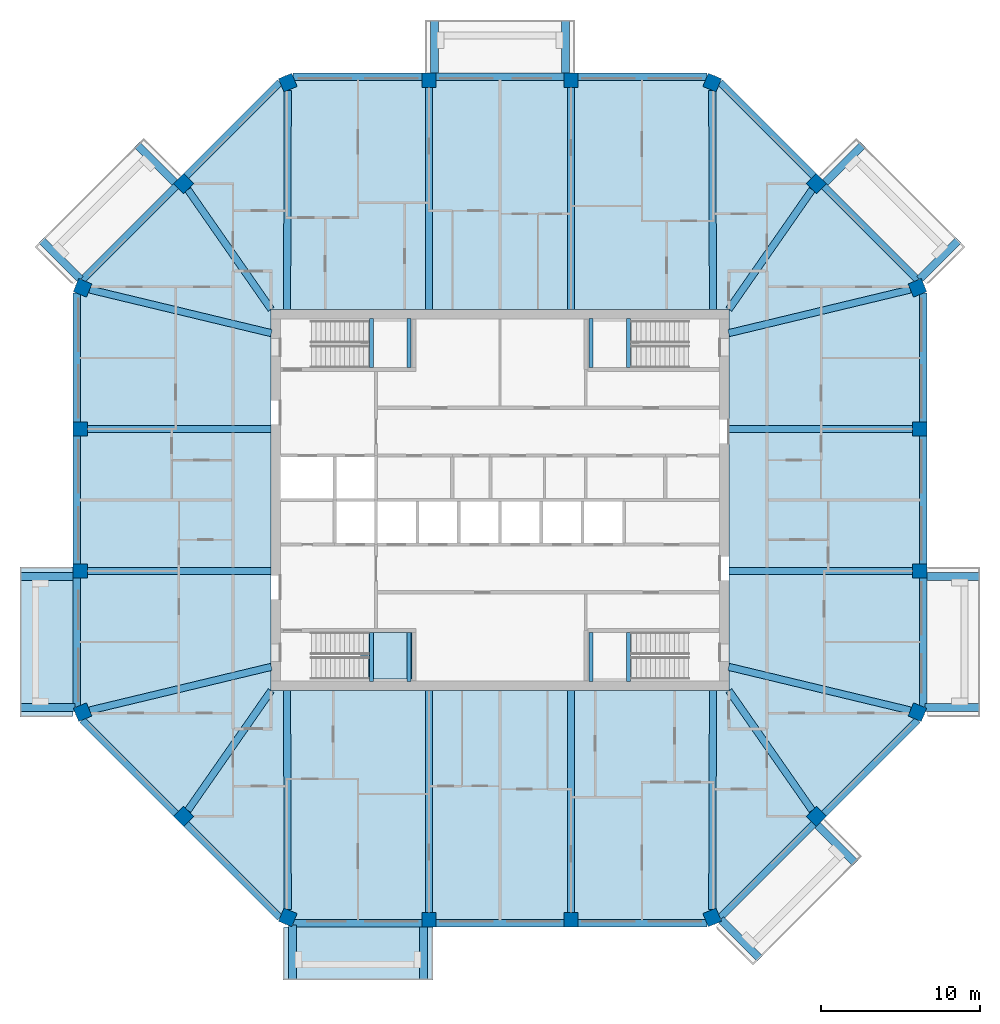
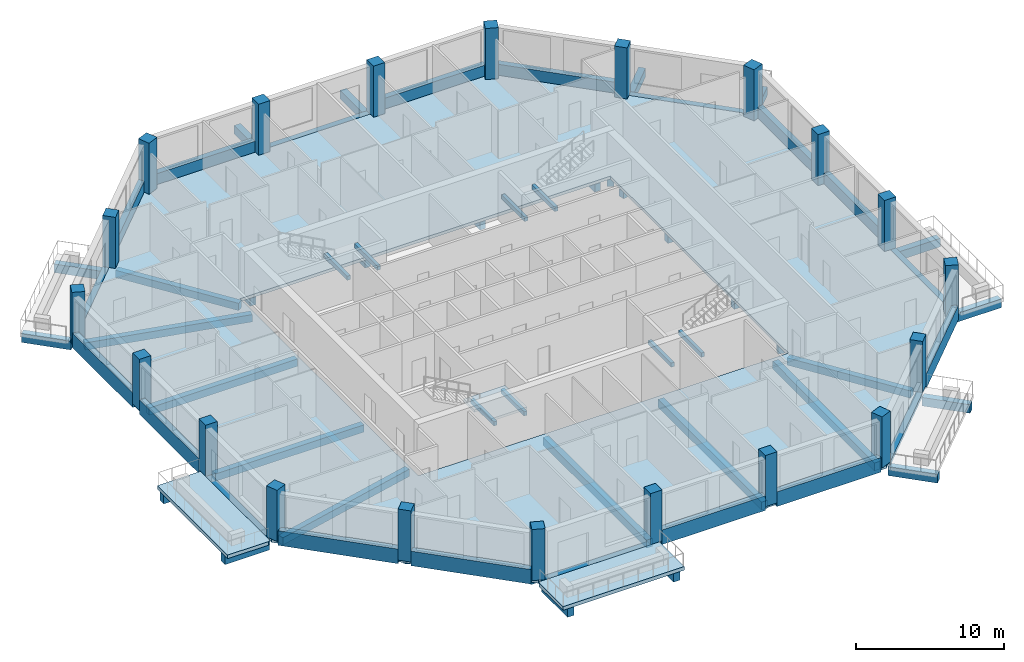
# One storey, part 1 of 11: 62 beams, 20 columns, 4 slabs, 1 element without a shape of its own.
"""IFC4 building model written with IfcOpenShell, lengths in metres."""

from ifc_helpers import new_model, si_unit, direction, frame, origin, origin_2d, place, context, subcontext, project, spatial, polyline, rectangle, outline, extrude, material, layer, layer_set, material_profile, profile_set, type_object, element, aggregate, save


model = new_model("IFC4")

# Units and contexts
model_context = context("Model", 3, precision=1e-05, world=origin(), true_north=direction((0.0, 1.0)))
body_context = subcontext(model_context, "Body", "Model", "MODEL_VIEW")
ifc_project = project(units=[si_unit("LENGTHUNIT", "METRE"), si_unit("AREAUNIT", "SQUARE_METRE"), si_unit("VOLUMEUNIT", "CUBIC_METRE"), si_unit("PLANEANGLEUNIT", "RADIAN"), si_unit("MASSUNIT", "GRAM", prefix="KILO")], contexts=[model_context])

# Site, building, storey
site_placement = place(None, origin())
site = spatial("IfcSite", under=ifc_project, at=site_placement, CompositionType="ELEMENT")
building_placement = place(site_placement, origin())
building = spatial("IfcBuilding", under=site, at=building_placement, Name="Msitu Wima Residences", CompositionType="ELEMENT")
storey_placement = place(building_placement, frame((0.0, 0.0, 234.89990234375)))
storey = spatial("IfcBuildingStorey", under=building, at=storey_placement, Name="L54", CompositionType="ELEMENT", Elevation=234.89990234375)

# Columns
ifc_material_1 = material(Name="Concrete C50/60", Category="concrete")
ifc_material_profile_1 = material_profile(ifc_material_1, rectangle(XDim=0.89990234375, YDim=0.89990234375, at=origin_2d()), Name="RC 900x900")
ifc_profile_set_1 = profile_set([ifc_material_profile_1], Name="Concrete C50/60")
column_type = type_object("IfcColumnType", Name="Column RC 900x900 Concrete C50/60", PredefinedType="COLUMN", material=ifc_profile_set_1)
for number, where, z_axis, x_axis, name in (
    (1, (26.261962890625, -13.3486328125, 0.0), (0.0, 0.0, 1.0), (0.382683496864, 0.923879505795, 0.0), "Column L54 C-E0"),
    (2, (26.39990234375, -4.46875, 0.0), (0.0, 0.0, 1.0), (0.0, 1.0, 0.0), "Column L54 C-E1"),
    (3, (26.39990234375, 4.46875, 0.0), (0.0, 0.0, 1.0), (0.0, 1.0, 0.0), "Column L54 C-E2"),
    (4, (26.261962890625, 13.3486328125, 0.0), (0.0, 0.0, 1.0), (-0.382683496864, 0.923879505795, 0.0), "Column L54 C-NE0"),
    (5, (19.90283203125, 19.90283203125, 0.0), (0.0, 0.0, 1.0), (-0.707106781187, 0.707106781187, 0.0), "Column L54 C-NE1"),
    (6, (13.3486328125, 26.261962890625, 0.0), (0.0, 0.0, 1.0), (-0.923879505795, 0.382683496864, 0.0), "Column L54 C-N0"),
    (7, (4.46875, 26.39990234375, 0.0), (0.0, 0.0, 1.0), (-1.0, 0.0, 0.0), "Column L54 C-N1"),
    (8, (-4.46875, 26.39990234375, 0.0), (0.0, 0.0, 1.0), (-1.0, 0.0, 0.0), "Column L54 C-N2"),
    (9, (-13.3486328125, 26.261962890625, 0.0), (0.0, 0.0, 1.0), (-0.923879505795, -0.382683496864, 0.0), "Column L54 C-NW0"),
    (10, (-19.90283203125, 19.90283203125, 0.0), (0.0, 0.0, 1.0), (-0.707106781187, -0.707106781187, 0.0), "Column L54 C-NW1"),
    (11, (-26.261962890625, 13.3486328125, 0.0), (0.0, 0.0, 1.0), (-0.382683496864, -0.923879505795, 0.0), "Column L54 C-W0"),
    (12, (-26.39990234375, 4.46875, 0.0), (0.0, 0.0, 1.0), (0.0, -1.0, 0.0), "Column L54 C-W1"),
    (13, (-26.39990234375, -4.46875, 0.0), (0.0, 0.0, 1.0), (0.0, -1.0, 0.0), "Column L54 C-W2"),
    (14, (-26.261962890625, -13.3486328125, 0.0), (0.0, 0.0, 1.0), (0.382683496864, -0.923879505795, 0.0), "Column L54 C-SW0"),
    (15, (-19.90283203125, -19.90283203125, 0.0), (0.0, 0.0, 1.0), (0.707106781187, -0.707106781187, 0.0), "Column L54 C-SW1"),
    (16, (-13.3486328125, -26.261962890625, 0.0), (0.0, 0.0, 1.0), (0.923879505795, -0.382683496864, 0.0), "Column L54 C-S0"),
    (17, (-4.46875, -26.39990234375, 0.0), (0.0, 0.0, 1.0), (1.0, 0.0, 0.0), "Column L54 C-S1"),
    (18, (4.46875, -26.39990234375, 0.0), (0.0, 0.0, 1.0), (1.0, 0.0, 0.0), "Column L54 C-S2"),
    (19, (13.3486328125, -26.261962890625, 0.0), (0.0, 0.0, 1.0), (0.923879505795, 0.382683496864, 0.0), "Column L54 C-SE0"),
    (20, (19.90283203125, -19.90283203125, 0.0), (0.0, 0.0, 1.0), (0.707106781187, 0.707106781187, 0.0), "Column L54 C-SE1"),
):
    element("IfcColumn", number, at=place(storey_placement, frame(where, z_axis=z_axis, x_axis=x_axis)), inside=storey, type_object=column_type, Name=name, PredefinedType="COLUMN", context=body_context, shape_type="SweptSolid", body=[
        extrude(rectangle(XDim=0.89990234375, YDim=0.89990234375, at=origin_2d()), origin(), (0.0, 0.0, 1.0), 4.2001953125),
    ])

# Beams
ifc_material_profile_2 = material_profile(ifc_material_1, rectangle(XDim=0.449951171875, YDim=0.60009765625, at=origin_2d()), Name="RC 450x600")
ifc_profile_set_2 = profile_set([ifc_material_profile_2], Name="Concrete C50/60")
beam_type_1 = type_object("IfcBeamType", Name="Beam RC 450x600 Concrete C50/60", PredefinedType="BEAM", material=ifc_profile_set_2)
beam_1_placement = place(storey_placement, frame((25.819091796875, -13.242431640625, -0.5498046875), z_axis=(-0.972353359268, 0.233514335148, 0.0), x_axis=(-0.233514335148, -0.972353359268, 0.0)))
element("IfcBeam", 21, at=beam_1_placement, inside=storey, type_object=beam_type_1, Name="Beam L54 C-E0", PredefinedType="BEAM", context=body_context, shape_type="SweptSolid", body=[
    extrude(rectangle(XDim=0.449951171875, YDim=0.60009765625, at=origin_2d()), origin(), (0.0, 0.0, 1.0), 11.755615234375),
])
for number, where, z_axis, x_axis, name in (
    (22, (25.949951171875, -4.46875, -0.5498046875), (-1.0, 0.0, 0.0), (0.0, -1.0, 0.0), "Beam L54 C-E1"),
    (23, (25.949951171875, 4.46875, -0.5498046875), (-1.0, 0.0, 0.0), (0.0, -1.0, 0.0), "Beam L54 C-E2"),
):
    element("IfcBeam", number, at=place(storey_placement, frame(where, z_axis=z_axis, x_axis=x_axis)), inside=storey, type_object=beam_type_1, Name=name, PredefinedType="BEAM", context=body_context, shape_type="SweptSolid", body=[
        extrude(rectangle(XDim=0.449951171875, YDim=0.60009765625, at=origin_2d()), origin(), (0.0, 0.0, 1.0), 11.550048828125),
    ])
beam_2_placement = place(storey_placement, frame((25.819091796875, 13.242431640625, -0.5498046875), z_axis=(-0.972353359268, -0.233514335148, 0.0), x_axis=(0.233514335148, -0.972353359268, 0.0)))
element("IfcBeam", 24, at=beam_2_placement, inside=storey, type_object=beam_type_1, Name="Beam L54 C-NE0", PredefinedType="BEAM", context=body_context, shape_type="SweptSolid", body=[
    extrude(rectangle(XDim=0.449951171875, YDim=0.60009765625, at=origin_2d()), origin(), (0.0, 0.0, 1.0), 11.755615234375),
])
for number, where, z_axis, x_axis, name in (
    (25, (19.6416015625, 19.52783203125, -0.5498046875), (-0.571427822633, -0.820652328042, 0.0), (0.820652328042, -0.571427822633, 0.0), "Beam L54 C-NE1"),
    (26, (-19.6416015625, 19.52783203125, -0.5498046875), (0.571427822633, -0.820652328042, 0.0), (0.820652328042, 0.571427822633, 0.0), "Beam L54 C-NW1"),
):
    element("IfcBeam", number, at=place(storey_placement, frame(where, z_axis=z_axis, x_axis=x_axis)), inside=storey, type_object=beam_type_1, Name=name, PredefinedType="BEAM", context=body_context, shape_type="SweptSolid", body=[
        extrude(rectangle(XDim=0.449951171875, YDim=0.60009765625, at=origin_2d()), origin(), (0.0, 0.0, 1.0), 9.173095703125),
    ])
beam_3_placement = place(storey_placement, frame((-25.819091796875, 13.242431640625, -0.5498046875), z_axis=(0.972353359268, -0.233514335148, 0.0), x_axis=(0.233514335148, 0.972353359268, 0.0)))
element("IfcBeam", 27, at=beam_3_placement, inside=storey, type_object=beam_type_1, Name="Beam L54 C-W0", PredefinedType="BEAM", context=body_context, shape_type="SweptSolid", body=[
    extrude(rectangle(XDim=0.449951171875, YDim=0.60009765625, at=origin_2d()), origin(), (0.0, 0.0, 1.0), 11.755615234375),
])
for number, where, z_axis, x_axis, name in (
    (28, (-25.949951171875, 4.46875, -0.5498046875), (1.0, 0.0, 0.0), (0.0, 1.0, 0.0), "Beam L54 C-W1"),
    (29, (-25.949951171875, -4.46875, -0.5498046875), (1.0, 0.0, 0.0), (0.0, 1.0, 0.0), "Beam L54 C-W2"),
):
    element("IfcBeam", number, at=place(storey_placement, frame(where, z_axis=z_axis, x_axis=x_axis)), inside=storey, type_object=beam_type_1, Name=name, PredefinedType="BEAM", context=body_context, shape_type="SweptSolid", body=[
        extrude(rectangle(XDim=0.449951171875, YDim=0.60009765625, at=origin_2d()), origin(), (0.0, 0.0, 1.0), 11.550048828125),
    ])
beam_4_placement = place(storey_placement, frame((-25.819091796875, -13.242431640625, -0.5498046875), z_axis=(0.972353359268, 0.233514335148, 0.0), x_axis=(-0.233514335148, 0.972353359268, 0.0)))
element("IfcBeam", 30, at=beam_4_placement, inside=storey, type_object=beam_type_1, Name="Beam L54 C-SW0", PredefinedType="BEAM", context=body_context, shape_type="SweptSolid", body=[
    extrude(rectangle(XDim=0.449951171875, YDim=0.60009765625, at=origin_2d()), origin(), (0.0, 0.0, 1.0), 11.755615234375),
])
for number, where, z_axis, x_axis, name in (
    (31, (-19.6416015625, -19.52783203125, -0.5498046875), (0.571427822633, 0.820652328042, 0.0), (-0.820652328042, 0.571427822633, 0.0), "Beam L54 C-SW1"),
    (32, (19.6416015625, -19.52783203125, -0.5498046875), (-0.571427822633, 0.820652328042, 0.0), (-0.820652328042, -0.571427822633, 0.0), "Beam L54 C-SE1"),
):
    element("IfcBeam", number, at=place(storey_placement, frame(where, z_axis=z_axis, x_axis=x_axis)), inside=storey, type_object=beam_type_1, Name=name, PredefinedType="BEAM", context=body_context, shape_type="SweptSolid", body=[
        extrude(rectangle(XDim=0.449951171875, YDim=0.60009765625, at=origin_2d()), origin(), (0.0, 0.0, 1.0), 9.173095703125),
    ])
ifc_material_profile_3 = material_profile(ifc_material_1, rectangle(XDim=0.449951171875, YDim=0.64990234375, at=origin_2d()), Name="RC 450x650")
ifc_profile_set_3 = profile_set([ifc_material_profile_3], Name="Concrete C50/60")
beam_type_2 = type_object("IfcBeamType", Name="Beam RC 450x650 Concrete C50/60", PredefinedType="BEAM", material=ifc_profile_set_3)
beam_5_placement = place(storey_placement, frame((13.3505859375, 25.774169921875, -0.574951171875), z_axis=(0.003594933206, -0.999993538207, 0.0), x_axis=(0.999993538207, 0.003594933206, 0.0)))
element("IfcBeam", 33, at=beam_5_placement, inside=storey, type_object=beam_type_2, Name="Beam L54 C-N0", PredefinedType="BEAM", context=body_context, shape_type="SweptSolid", body=[
    extrude(rectangle(XDim=0.449951171875, YDim=0.64990234375, at=origin_2d()), origin(), (0.0, 0.0, 1.0), 13.7861328125),
])
for number, where, z_axis, x_axis, name in (
    (34, (4.46875, 25.949951171875, -0.574951171875), (0.0, -1.0, 0.0), (1.0, 0.0, 0.0), "Beam L54 C-N1"),
    (35, (-4.46875, 25.949951171875, -0.574951171875), (0.0, -1.0, 0.0), (1.0, 0.0, 0.0), "Beam L54 C-N2"),
):
    element("IfcBeam", number, at=place(storey_placement, frame(where, z_axis=z_axis, x_axis=x_axis)), inside=storey, type_object=beam_type_2, Name=name, PredefinedType="BEAM", context=body_context, shape_type="SweptSolid", body=[
        extrude(rectangle(XDim=0.449951171875, YDim=0.64990234375, at=origin_2d()), origin(), (0.0, 0.0, 1.0), 13.949951171875),
    ])
for number, where, z_axis, x_axis, name in (
    (36, (-13.3505859375, 25.774169921875, -0.574951171875), (-0.003594933206, -0.999993538207, 0.0), (0.999993538207, -0.003594933206, 0.0), "Beam L54 C-NW0"),
    (37, (-13.3505859375, -25.774169921875, -0.574951171875), (-0.003594933206, 0.999993538207, 0.0), (-0.999993538207, -0.003594933206, 0.0), "Beam L54 C-S0"),
):
    element("IfcBeam", number, at=place(storey_placement, frame(where, z_axis=z_axis, x_axis=x_axis)), inside=storey, type_object=beam_type_2, Name=name, PredefinedType="BEAM", context=body_context, shape_type="SweptSolid", body=[
        extrude(rectangle(XDim=0.449951171875, YDim=0.64990234375, at=origin_2d()), origin(), (0.0, 0.0, 1.0), 13.7861328125),
    ])
for number, where, z_axis, x_axis, name in (
    (38, (-4.46875, -25.949951171875, -0.574951171875), (0.0, 1.0, 0.0), (-1.0, 0.0, 0.0), "Beam L54 C-S1"),
    (39, (4.46875, -25.949951171875, -0.574951171875), (0.0, 1.0, 0.0), (-1.0, 0.0, 0.0), "Beam L54 C-S2"),
):
    element("IfcBeam", number, at=place(storey_placement, frame(where, z_axis=z_axis, x_axis=x_axis)), inside=storey, type_object=beam_type_2, Name=name, PredefinedType="BEAM", context=body_context, shape_type="SweptSolid", body=[
        extrude(rectangle(XDim=0.449951171875, YDim=0.64990234375, at=origin_2d()), origin(), (0.0, 0.0, 1.0), 13.949951171875),
    ])
beam_6_placement = place(storey_placement, frame((13.3505859375, -25.774169921875, -0.574951171875), z_axis=(0.003594933206, 0.999993538207, 0.0), x_axis=(-0.999993538207, 0.003594933206, 0.0)))
element("IfcBeam", 40, at=beam_6_placement, inside=storey, type_object=beam_type_2, Name="Beam L54 C-SE0", PredefinedType="BEAM", context=body_context, shape_type="SweptSolid", body=[
    extrude(rectangle(XDim=0.449951171875, YDim=0.64990234375, at=origin_2d()), origin(), (0.0, 0.0, 1.0), 13.7861328125),
])
ifc_material_profile_4 = material_profile(ifc_material_1, rectangle(XDim=0.5, YDim=0.699951171875, at=origin_2d()), Name="RC 500x700")
ifc_profile_set_4 = profile_set([ifc_material_profile_4], Name="Concrete C50/60")
beam_type_3 = type_object("IfcBeamType", Name="Cantilever beam RC 500x700 Concrete C50/60", PredefinedType="BEAM", material=ifc_profile_set_4)
beam_7_placement = place(storey_placement, frame((26.73095703125, -13.055908203125, -0.64990234375), z_axis=(1.0, 0.0, 0.0), x_axis=(0.0, 1.0, 0.0)))
element("IfcBeam", 41, at=beam_7_placement, inside=storey, type_object=beam_type_3, Name="Cantilever beam L54 BA-E0 A", PredefinedType="BEAM", context=body_context, shape_type="SweptSolid", body=[
    extrude(rectangle(XDim=0.5, YDim=0.699951171875, at=origin_2d()), origin(), (0.0, 0.0, 1.0), 3.468994140625),
])
beam_8_placement = place(storey_placement, frame((26.85009765625, -4.818603515625, -0.64990234375), z_axis=(1.0, 0.0, 0.0), x_axis=(0.0, 1.0, 0.0)))
element("IfcBeam", 42, at=beam_8_placement, inside=storey, type_object=beam_type_3, Name="Cantilever beam L54 BA-E0 B", PredefinedType="BEAM", context=body_context, shape_type="SweptSolid", body=[
    extrude(rectangle(XDim=0.5, YDim=0.699951171875, at=origin_2d()), origin(), (0.0, 0.0, 1.0), 3.349853515625),
])
beam_9_placement = place(storey_placement, frame((26.386474609375, 13.887451171875, -0.64990234375), z_axis=(0.707141968506, 0.707071592116, 0.0), x_axis=(-0.707071592116, 0.707141968506, 0.0)))
element("IfcBeam", 43, at=beam_9_placement, inside=storey, type_object=beam_type_3, Name="Cantilever beam L54 BA-NE0 A", PredefinedType="BEAM", context=body_context, shape_type="SweptSolid", body=[
    extrude(rectangle(XDim=0.5, YDim=0.699951171875, at=origin_2d()), origin(), (0.0, 0.0, 1.0), 3.468994140625),
])
for number, where, z_axis, x_axis, name in (
    (44, (20.46875, 19.9736328125, -0.64990234375), (0.707070340836, 0.707143219659, 0.0), (-0.707143219659, 0.707070340836, 0.0), "Cantilever beam L54 BA-NE0 B"),
    (45, (4.11865234375, 26.85009765625, -0.64990234375), (0.0, 1.0, 0.0), (-1.0, 0.0, 0.0), "Cantilever beam L54 BA-N1 A"),
    (46, (-4.11865234375, 26.85009765625, -0.64990234375), (0.0, 1.0, 0.0), (-1.0, 0.0, 0.0), "Cantilever beam L54 BA-N1 B"),
    (47, (-20.46875, 19.9736328125, -0.64990234375), (-0.707070340836, 0.707143219659, 0.0), (-0.707143219659, -0.707070340836, 0.0), "Cantilever beam L54 BA-NW1 A"),
):
    element("IfcBeam", number, at=place(storey_placement, frame(where, z_axis=z_axis, x_axis=x_axis)), inside=storey, type_object=beam_type_3, Name=name, PredefinedType="BEAM", context=body_context, shape_type="SweptSolid", body=[
        extrude(rectangle(XDim=0.5, YDim=0.699951171875, at=origin_2d()), origin(), (0.0, 0.0, 1.0), 3.349853515625),
    ])
beam_10_placement = place(storey_placement, frame((-26.386474609375, 13.887451171875, -0.64990234375), z_axis=(-0.707141968506, 0.707071592116, 0.0), x_axis=(-0.707071592116, -0.707141968506, 0.0)))
element("IfcBeam", 48, at=beam_10_placement, inside=storey, type_object=beam_type_3, Name="Cantilever beam L54 BA-NW1 B", PredefinedType="BEAM", context=body_context, shape_type="SweptSolid", body=[
    extrude(rectangle(XDim=0.5, YDim=0.699951171875, at=origin_2d()), origin(), (0.0, 0.0, 1.0), 3.468994140625),
])
beam_11_placement = place(storey_placement, frame((-26.85009765625, -4.818603515625, -0.64990234375), z_axis=(-1.0, 0.0, 0.0), x_axis=(0.0, -1.0, 0.0)))
element("IfcBeam", 49, at=beam_11_placement, inside=storey, type_object=beam_type_3, Name="Cantilever beam L54 BA-W2 A", PredefinedType="BEAM", context=body_context, shape_type="SweptSolid", body=[
    extrude(rectangle(XDim=0.5, YDim=0.699951171875, at=origin_2d()), origin(), (0.0, 0.0, 1.0), 3.349853515625),
])
for number, where, z_axis, x_axis, name in (
    (50, (-26.73095703125, -13.055908203125, -0.64990234375), (-1.0, 0.0, 0.0), (0.0, -1.0, 0.0), "Cantilever beam L54 BA-W2 B"),
    (51, (-13.055908203125, -26.73095703125, -0.64990234375), (0.0, -1.0, 0.0), (1.0, 0.0, 0.0), "Cantilever beam L54 BA-S0 A"),
):
    element("IfcBeam", number, at=place(storey_placement, frame(where, z_axis=z_axis, x_axis=x_axis)), inside=storey, type_object=beam_type_3, Name=name, PredefinedType="BEAM", context=body_context, shape_type="SweptSolid", body=[
        extrude(rectangle(XDim=0.5, YDim=0.699951171875, at=origin_2d()), origin(), (0.0, 0.0, 1.0), 3.468994140625),
    ])
beam_12_placement = place(storey_placement, frame((-4.818603515625, -26.85009765625, -0.64990234375), z_axis=(0.0, -1.0, 0.0), x_axis=(1.0, 0.0, 0.0)))
element("IfcBeam", 52, at=beam_12_placement, inside=storey, type_object=beam_type_3, Name="Cantilever beam L54 BA-S0 B", PredefinedType="BEAM", context=body_context, shape_type="SweptSolid", body=[
    extrude(rectangle(XDim=0.5, YDim=0.699951171875, at=origin_2d()), origin(), (0.0, 0.0, 1.0), 3.349853515625),
])
beam_13_placement = place(storey_placement, frame((13.887451171875, -26.386474609375, -0.64990234375), z_axis=(0.707071592116, -0.707141968506, 0.0), x_axis=(0.707141968506, 0.707071592116, 0.0)))
element("IfcBeam", 53, at=beam_13_placement, inside=storey, type_object=beam_type_3, Name="Cantilever beam L54 BA-SE0 A", PredefinedType="BEAM", context=body_context, shape_type="SweptSolid", body=[
    extrude(rectangle(XDim=0.5, YDim=0.699951171875, at=origin_2d()), origin(), (0.0, 0.0, 1.0), 3.468994140625),
])
beam_14_placement = place(storey_placement, frame((19.9736328125, -20.46875, -0.64990234375), z_axis=(0.707143219659, -0.707070340836, 0.0), x_axis=(0.707070340836, 0.707143219659, 0.0)))
element("IfcBeam", 54, at=beam_14_placement, inside=storey, type_object=beam_type_3, Name="Cantilever beam L54 BA-SE0 B", PredefinedType="BEAM", context=body_context, shape_type="SweptSolid", body=[
    extrude(rectangle(XDim=0.5, YDim=0.699951171875, at=origin_2d()), origin(), (0.0, 0.0, 1.0), 3.349853515625),
])
ifc_material_profile_5 = material_profile(ifc_material_1, rectangle(XDim=0.449951171875, YDim=0.300048828125, at=origin_2d()), Name="RC 450x300")
ifc_profile_set_5 = profile_set([ifc_material_profile_5], Name="Concrete C50/60")
beam_type_4 = type_object("IfcBeamType", Name="Edge beam RC 450x300 Concrete C50/60", PredefinedType="SPANDREL", material=ifc_profile_set_5)
beam_15_placement = place(storey_placement, frame((26.625, -13.02392578125, -0.14990234375), z_axis=(0.0, 1.0, 0.0), x_axis=(-1.0, 0.0, 0.0)))
element("IfcBeam", 55, at=beam_15_placement, inside=storey, type_object=beam_type_4, Name="Spandrel L54 E0", PredefinedType="SPANDREL", context=body_context, shape_type="SweptSolid", body=[
    extrude(rectangle(XDim=0.449951171875, YDim=0.300048828125, at=origin_2d()), origin(), (0.0, 0.0, 1.0), 8.105224609375),
])
beam_16_placement = place(storey_placement, frame((26.2890625, 13.8349609375, -0.14990234375), z_axis=(-0.707106781187, 0.707106781187, 0.0), x_axis=(-0.707106781187, -0.707106781187, 0.0)))
element("IfcBeam", 56, at=beam_16_placement, inside=storey, type_object=beam_type_4, Name="Spandrel L54 NE0", PredefinedType="SPANDREL", context=body_context, shape_type="SweptSolid", body=[
    extrude(rectangle(XDim=0.449951171875, YDim=0.300048828125, at=origin_2d()), origin(), (0.0, 0.0, 1.0), 8.3564453125),
])
beam_17_placement = place(storey_placement, frame((4.0185546875, 26.625, -0.14990234375), z_axis=(-1.0, 0.0, 0.0), x_axis=(0.0, -1.0, 0.0)))
element("IfcBeam", 57, at=beam_17_placement, inside=storey, type_object=beam_type_4, Name="Spandrel L54 N1", PredefinedType="SPANDREL", context=body_context, shape_type="SweptSolid", body=[
    extrude(rectangle(XDim=0.449951171875, YDim=0.300048828125, at=origin_2d()), origin(), (0.0, 0.0, 1.0), 8.037109375),
])
beam_18_placement = place(storey_placement, frame((-20.380126953125, 19.743896484375, -0.14990234375), z_axis=(-0.707106781187, -0.707106781187, 0.0), x_axis=(0.707106781187, -0.707106781187, 0.0)))
element("IfcBeam", 58, at=beam_18_placement, inside=storey, type_object=beam_type_4, Name="Spandrel L54 NW1", PredefinedType="SPANDREL", context=body_context, shape_type="SweptSolid", body=[
    extrude(rectangle(XDim=0.449951171875, YDim=0.300048828125, at=origin_2d()), origin(), (0.0, 0.0, 1.0), 8.3564453125),
])
for number, where, z_axis, x_axis, name in (
    (59, (-26.625, -4.918701171875, -0.14990234375), (0.0, -1.0, 0.0), (1.0, 0.0, 0.0), "Spandrel L54 W2"),
    (60, (-13.02392578125, -26.625, -0.14990234375), (1.0, 0.0, 0.0), (0.0, 1.0, 0.0), "Spandrel L54 S0"),
):
    element("IfcBeam", number, at=place(storey_placement, frame(where, z_axis=z_axis, x_axis=x_axis)), inside=storey, type_object=beam_type_4, Name=name, PredefinedType="SPANDREL", context=body_context, shape_type="SweptSolid", body=[
        extrude(rectangle(XDim=0.449951171875, YDim=0.300048828125, at=origin_2d()), origin(), (0.0, 0.0, 1.0), 8.105224609375),
    ])
beam_19_placement = place(storey_placement, frame((13.8349609375, -26.2890625, -0.14990234375), z_axis=(0.707106781187, 0.707106781187, 0.0), x_axis=(-0.707106781187, 0.707106781187, 0.0)))
element("IfcBeam", 61, at=beam_19_placement, inside=storey, type_object=beam_type_4, Name="Spandrel L54 SE0", PredefinedType="SPANDREL", context=body_context, shape_type="SweptSolid", body=[
    extrude(rectangle(XDim=0.449951171875, YDim=0.300048828125, at=origin_2d()), origin(), (0.0, 0.0, 1.0), 8.3564453125),
])
ifc_material_2 = material(Name="Concrete C40/50", Category="concrete")
ifc_material_profile_6 = material_profile(ifc_material_2, rectangle(XDim=0.25, YDim=0.35009765625, at=origin_2d()), Name="RC 250x350")
ifc_profile_set_6 = profile_set([ifc_material_profile_6], Name="Concrete C40/50")
beam_type_5 = type_object("IfcBeamType", Name="Landing beam RC 250x350", PredefinedType="BEAM", material=ifc_profile_set_6)
for number, where, z_axis, x_axis, name in (
    (62, (-8.074951171875, 8.324951171875, 1.72509765625), (0.0, 1.0, 0.0), (-1.0, 0.0, 0.0), "Stair 1 landing beam"),
    (63, (-5.72509765625, 8.324951171875, 1.72509765625), (0.0, 1.0, 0.0), (-1.0, 0.0, 0.0), "Stair 1 landing beam"),
    (64, (-8.074951171875, -11.425048828125, 1.72509765625), (0.0, 1.0, 0.0), (-1.0, 0.0, 0.0), "Stair 2 landing beam"),
    (65, (-5.72509765625, -11.425048828125, 1.72509765625), (0.0, 1.0, 0.0), (-1.0, 0.0, 0.0), "Stair 2 landing beam"),
    (66, (8.074951171875, 8.324951171875, 1.72509765625), (0.0, 1.0, 0.0), (-1.0, 0.0, 0.0), "Stair 3 landing beam"),
    (67, (5.72509765625, 8.324951171875, 1.72509765625), (0.0, 1.0, 0.0), (-1.0, 0.0, 0.0), "Stair 3 landing beam"),
    (68, (8.074951171875, -11.425048828125, 1.72509765625), (0.0, 1.0, 0.0), (-1.0, 0.0, 0.0), "Stair 4 landing beam"),
    (69, (5.72509765625, -11.425048828125, 1.72509765625), (0.0, 1.0, 0.0), (-1.0, 0.0, 0.0), "Stair 4 landing beam"),
):
    element("IfcBeam", number, at=place(storey_placement, frame(where, z_axis=z_axis, x_axis=x_axis)), inside=storey, type_object=beam_type_5, Name=name, PredefinedType="BEAM", context=body_context, shape_type="SweptSolid", body=[
        extrude(rectangle(XDim=0.25, YDim=0.35009765625, at=origin_2d()), origin(), (0.0, 0.0, 1.0), 3.10009765625),
    ])
ifc_material_profile_7 = material_profile(ifc_material_1, rectangle(XDim=0.449951171875, YDim=1.199951171875, at=origin_2d()), Name="RC 450x1200")
ifc_profile_set_7 = profile_set([ifc_material_profile_7], Name="Concrete C50/60")
beam_type_6 = type_object("IfcBeamType", Name="Spandrel RC 450x1200 Concrete C50/60", PredefinedType="SPANDREL", material=ifc_profile_set_7)
beam_20_placement = place(storey_placement, frame((26.625, -4.0185546875, 0.300048828125), z_axis=(0.0, 1.0, 0.0), x_axis=(-1.0, 0.0, 0.0)))
element("IfcBeam", 70, at=beam_20_placement, inside=storey, type_object=beam_type_6, Name="Spandrel L54 E1", PredefinedType="SPANDREL", context=body_context, shape_type="SweptSolid", body=[
    extrude(rectangle(XDim=0.449951171875, YDim=1.199951171875, at=origin_2d()), origin(), (0.0, 0.0, 1.0), 8.037109375),
])
beam_21_placement = place(storey_placement, frame((26.625, 4.918701171875, 0.300048828125), z_axis=(0.0, 1.0, 0.0), x_axis=(-1.0, 0.0, 0.0)))
element("IfcBeam", 71, at=beam_21_placement, inside=storey, type_object=beam_type_6, Name="Spandrel L54 E2", PredefinedType="SPANDREL", context=body_context, shape_type="SweptSolid", body=[
    extrude(rectangle(XDim=0.449951171875, YDim=1.199951171875, at=origin_2d()), origin(), (0.0, 0.0, 1.0), 8.105224609375),
])
beam_22_placement = place(storey_placement, frame((19.743896484375, 20.380126953125, 0.300048828125), z_axis=(-0.707106781187, 0.707106781187, 0.0), x_axis=(-0.707106781187, -0.707106781187, 0.0)))
element("IfcBeam", 72, at=beam_22_placement, inside=storey, type_object=beam_type_6, Name="Spandrel L54 NE1", PredefinedType="SPANDREL", context=body_context, shape_type="SweptSolid", body=[
    extrude(rectangle(XDim=0.449951171875, YDim=1.199951171875, at=origin_2d()), origin(), (0.0, 0.0, 1.0), 8.3564453125),
])
for number, where, z_axis, x_axis, name in (
    (73, (13.02392578125, 26.625, 0.300048828125), (-1.0, 0.0, 0.0), (0.0, -1.0, 0.0), "Spandrel L54 N0"),
    (74, (-4.918701171875, 26.625, 0.300048828125), (-1.0, 0.0, 0.0), (0.0, -1.0, 0.0), "Spandrel L54 N2"),
):
    element("IfcBeam", number, at=place(storey_placement, frame(where, z_axis=z_axis, x_axis=x_axis)), inside=storey, type_object=beam_type_6, Name=name, PredefinedType="SPANDREL", context=body_context, shape_type="SweptSolid", body=[
        extrude(rectangle(XDim=0.449951171875, YDim=1.199951171875, at=origin_2d()), origin(), (0.0, 0.0, 1.0), 8.105224609375),
    ])
beam_23_placement = place(storey_placement, frame((-13.8349609375, 26.2890625, 0.300048828125), z_axis=(-0.707106781187, -0.707106781187, 0.0), x_axis=(0.707106781187, -0.707106781187, 0.0)))
element("IfcBeam", 75, at=beam_23_placement, inside=storey, type_object=beam_type_6, Name="Spandrel L54 NW0", PredefinedType="SPANDREL", context=body_context, shape_type="SweptSolid", body=[
    extrude(rectangle(XDim=0.449951171875, YDim=1.199951171875, at=origin_2d()), origin(), (0.0, 0.0, 1.0), 8.3564453125),
])
beam_24_placement = place(storey_placement, frame((-26.625, 13.02392578125, 0.300048828125), z_axis=(0.0, -1.0, 0.0), x_axis=(1.0, 0.0, 0.0)))
element("IfcBeam", 76, at=beam_24_placement, inside=storey, type_object=beam_type_6, Name="Spandrel L54 W0", PredefinedType="SPANDREL", context=body_context, shape_type="SweptSolid", body=[
    extrude(rectangle(XDim=0.449951171875, YDim=1.199951171875, at=origin_2d()), origin(), (0.0, 0.0, 1.0), 8.105224609375),
])
beam_25_placement = place(storey_placement, frame((-26.625, 4.0185546875, 0.300048828125), z_axis=(0.0, -1.0, 0.0), x_axis=(1.0, 0.0, 0.0)))
element("IfcBeam", 77, at=beam_25_placement, inside=storey, type_object=beam_type_6, Name="Spandrel L54 W1", PredefinedType="SPANDREL", context=body_context, shape_type="SweptSolid", body=[
    extrude(rectangle(XDim=0.449951171875, YDim=1.199951171875, at=origin_2d()), origin(), (0.0, 0.0, 1.0), 8.037109375),
])
for number, where, z_axis, x_axis, name in (
    (78, (-26.2890625, -13.8349609375, 0.300048828125), (0.707106781187, -0.707106781187, 0.0), (0.707106781187, 0.707106781187, 0.0), "Spandrel L54 SW0"),
    (79, (-19.743896484375, -20.380126953125, 0.300048828125), (0.707106781187, -0.707106781187, 0.0), (0.707106781187, 0.707106781187, 0.0), "Spandrel L54 SW1"),
):
    element("IfcBeam", number, at=place(storey_placement, frame(where, z_axis=z_axis, x_axis=x_axis)), inside=storey, type_object=beam_type_6, Name=name, PredefinedType="SPANDREL", context=body_context, shape_type="SweptSolid", body=[
        extrude(rectangle(XDim=0.449951171875, YDim=1.199951171875, at=origin_2d()), origin(), (0.0, 0.0, 1.0), 8.3564453125),
    ])
beam_26_placement = place(storey_placement, frame((-4.0185546875, -26.625, 0.300048828125), z_axis=(1.0, 0.0, 0.0), x_axis=(0.0, 1.0, 0.0)))
element("IfcBeam", 80, at=beam_26_placement, inside=storey, type_object=beam_type_6, Name="Spandrel L54 S1", PredefinedType="SPANDREL", context=body_context, shape_type="SweptSolid", body=[
    extrude(rectangle(XDim=0.449951171875, YDim=1.199951171875, at=origin_2d()), origin(), (0.0, 0.0, 1.0), 8.037109375),
])
beam_27_placement = place(storey_placement, frame((4.918701171875, -26.625, 0.300048828125), z_axis=(1.0, 0.0, 0.0), x_axis=(0.0, 1.0, 0.0)))
element("IfcBeam", 81, at=beam_27_placement, inside=storey, type_object=beam_type_6, Name="Spandrel L54 S2", PredefinedType="SPANDREL", context=body_context, shape_type="SweptSolid", body=[
    extrude(rectangle(XDim=0.449951171875, YDim=1.199951171875, at=origin_2d()), origin(), (0.0, 0.0, 1.0), 8.105224609375),
])
beam_28_placement = place(storey_placement, frame((20.380126953125, -19.743896484375, 0.300048828125), z_axis=(0.707106781187, 0.707106781187, 0.0), x_axis=(-0.707106781187, 0.707106781187, 0.0)))
element("IfcBeam", 82, at=beam_28_placement, inside=storey, type_object=beam_type_6, Name="Spandrel L54 SE1", PredefinedType="SPANDREL", context=body_context, shape_type="SweptSolid", body=[
    extrude(rectangle(XDim=0.449951171875, YDim=1.199951171875, at=origin_2d()), origin(), (0.0, 0.0, 1.0), 8.3564453125),
])

# Slabs
ifc_layer_1 = layer(ifc_material_2, 0.300048828125)
ifc_layer_set_1 = layer_set([ifc_layer_1], Name="Concrete C40/50")
slab_type_1 = type_object("IfcSlabType", Name="Balcony slab BS300", PredefinedType="FLOOR", material=ifc_layer_set_1)
slab_1_placement = place(storey_placement, frame((0.0, 0.0, -0.2998046875)))
element("IfcSlab", 83, at=slab_1_placement, inside=storey, type_object=slab_type_1, Name="Balcony W2 L54", PredefinedType="FLOOR", context=body_context, shape_type="SweptSolid", body=[
    extrude(outline(polyline([(-26.85009765625, -13.105224609375), (-26.85009765625, -13.105224609375), (-26.85009765625, -13.105224609375), (-26.85009765625, -13.59228515625), (-27.003662109375, -13.656005859375), (-30.199951171875, -13.656005859375), (-30.199951171875, -4.21875), (-26.85009765625, -4.21875), (-26.85009765625, -4.918701171875), (-26.85009765625, -13.105224609375)])), origin(), (0.0, 0.0, 1.0), 0.2998046875),
])
slab_2_placement = place(storey_placement, frame((0.0, 0.0, -0.2998046875)))
element("IfcSlab", 84, at=slab_2_placement, inside=storey, type_object=slab_type_1, Name="Balcony S0 L54", PredefinedType="FLOOR", context=body_context, shape_type="SweptSolid", body=[
    extrude(outline(polyline([(-13.105224609375, -26.85009765625), (-13.105224609375, -26.85009765625), (-4.918701171875, -26.85009765625), (-4.21875, -26.85009765625), (-4.21875, -30.199951171875), (-13.656005859375, -30.199951171875), (-13.656005859375, -27.003662109375), (-13.59228515625, -26.85009765625), (-13.105224609375, -26.85009765625), (-13.105224609375, -26.85009765625)])), origin(), (0.0, 0.0, 1.0), 0.2998046875),
])
ifc_layer_2 = layer(ifc_material_2, 0.25)
ifc_layer_set_2 = layer_set([ifc_layer_2], Name="Concrete C40/50")
slab_type_2 = type_object("IfcSlabType", Name="PT flat slab 250 Concrete C40/50", PredefinedType="FLOOR", material=ifc_layer_set_2)
slab_3_placement = place(storey_placement, frame((0.0, 0.0, -0.25)))
element("IfcSlab", 85, at=slab_3_placement, inside=storey, type_object=slab_type_2, Name="Floor slab L54", PredefinedType="FLOOR", context=body_context, shape_type="SweptSolid", body=[
    extrude(outline(polyline([(26.699951171875, -13.5302734375), (13.5302734375, -26.699951171875), (-13.5302734375, -26.699951171875), (-26.699951171875, -13.5302734375), (-26.699951171875, 13.5302734375), (-13.5302734375, 26.699951171875), (13.5302734375, 26.699951171875), (26.699951171875, 13.5302734375), (26.699951171875, -13.5302734375)]), holes=[polyline([(-14.39990234375, -12.0), (14.39990234375, -12.0), (14.39990234375, 12.0), (-14.39990234375, 12.0), (-14.39990234375, -12.0)])]), origin(), (0.0, 0.0, 1.0), 0.25),
])

# Stair, slab
stair_type = type_object("IfcStairType", Name="Exit stair ES1615-140", PredefinedType="HALF_TURN_STAIR", material=ifc_material_2)
stair_placement = place(storey_placement, origin())
stair = element("IfcStair", 86, at=stair_placement, inside=storey, type_object=stair_type, Name="Exit stair 2", PredefinedType="HALF_TURN_STAIR")
ifc_layer_3 = layer(ifc_material_2, 0.199951171875)
ifc_layer_set_3 = layer_set([ifc_layer_3], Name="Concrete C40/50")
slab_type_3 = type_object("IfcSlabType", Name="Stair landing SL200", PredefinedType="LANDING", material=ifc_layer_set_3)
slab_4_placement = place(storey_placement, frame((0.0, 0.0, 1.900146484375)))
slab_4 = element("IfcSlab", 87, at=slab_4_placement, type_object=slab_type_3, Name="S2 landing 1", PredefinedType="LANDING", context=body_context, shape_type="SweptSolid", body=[
    extrude(outline(polyline([(-5.52490234375, -11.27490234375), (-8.275390625, -11.27490234375), (-8.275390625, -9.800048828125), (-8.77490234375, -9.800048828125), (-8.77490234375, -8.324951171875), (-5.52490234375, -8.324951171875), (-5.52490234375, -11.27490234375)])), origin(), (0.0, 0.0, 1.0), 0.199951171875),
])
aggregate(stair, [slab_4])

save(model, "model.ifc")
